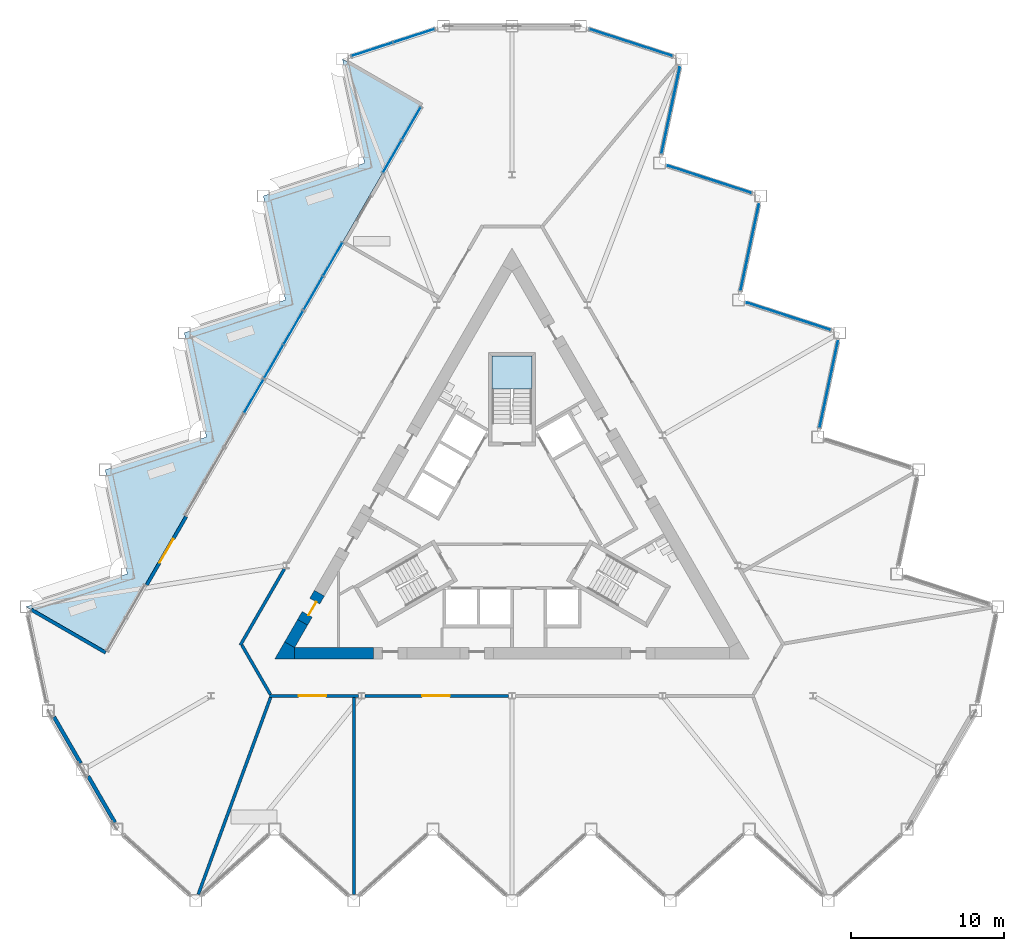
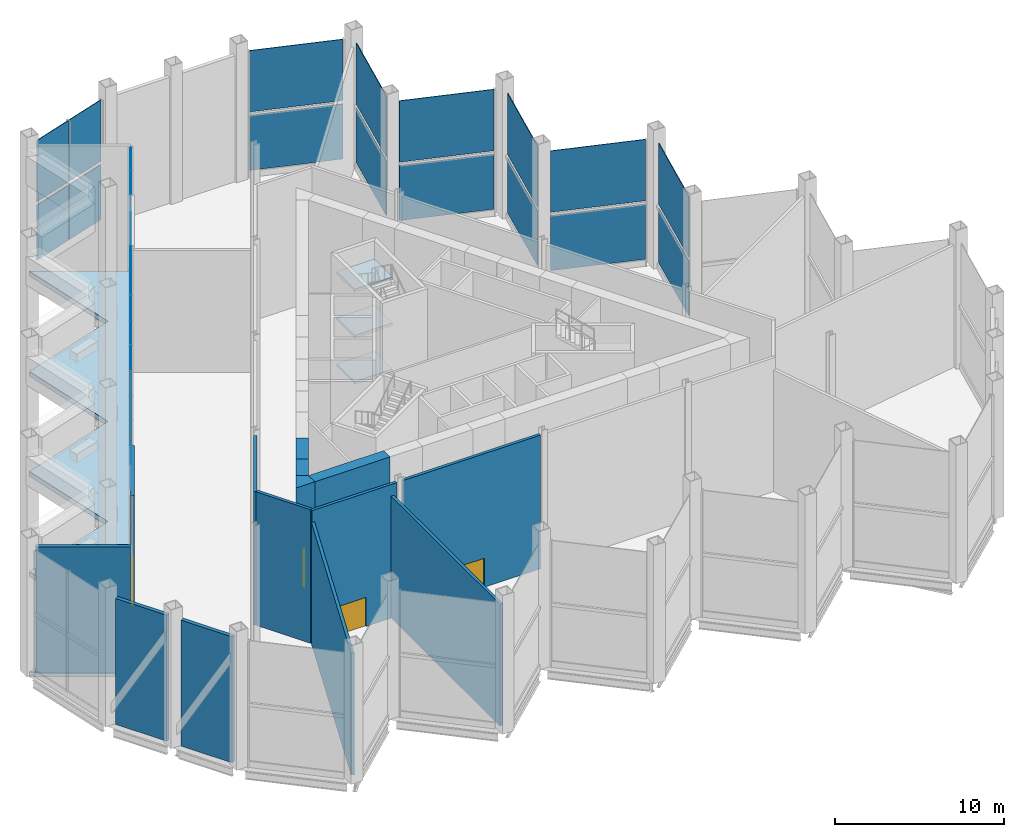
# One storey, part 8 of 18: 30 plates, 14 walls, 4 doors, 4 slabs, 4 openings, 7 elements without a shape of their own.
"""IFC4 building model written with IfcOpenShell, lengths in metres."""

from ifc_helpers import new_model, si_unit, direction, frame, frame_2d, origin, origin_2d, place, context, subcontext, project, spatial, polyline, rectangle, outline, extrude, material, layer, layer_set, type_object, element, fill, aggregate, save


model = new_model("IFC4")

# Units and contexts
model_context = context("Model", 3, precision=1e-05, world=origin(), true_north=direction((0.0, 1.0)))
body_context = subcontext(model_context, "Body", "Model", "MODEL_VIEW")
ifc_project = project(units=[si_unit("LENGTHUNIT", "METRE"), si_unit("AREAUNIT", "SQUARE_METRE"), si_unit("VOLUMEUNIT", "CUBIC_METRE"), si_unit("PLANEANGLEUNIT", "RADIAN"), si_unit("MASSUNIT", "GRAM", prefix="KILO")], contexts=[model_context])

# Site, building, storey
site_placement = place(None, origin())
site = spatial("IfcSite", under=ifc_project, at=site_placement, CompositionType="ELEMENT")
building_placement = place(site_placement, origin())
building = spatial("IfcBuilding", under=site, at=building_placement, Name="Cormorant Prow Tower", CompositionType="ELEMENT")
storey_placement = place(building_placement, frame((0.0, 0.0, 216.0)))
storey = spatial("IfcBuildingStorey", under=building, at=storey_placement, Name="L48", CompositionType="ELEMENT", Elevation=216.0)

# Curtain wall, plates
ifc_material_1 = material(Name="Aluminium 6063-T6", Category="aluminium")
ifc_layer_1 = layer(ifc_material_1, 0.300048828125)
ifc_layer_set_1 = layer_set([ifc_layer_1], Name="Aluminium 6063-T6")
curtain_wall_type = type_object("IfcCurtainWallType", Name="Sky lobby unitised curtain wall 300", PredefinedType="NOTDEFINED", material=ifc_layer_set_1)
curtain_wall_1_placement = place(storey_placement, origin())
curtain_wall_1 = element("IfcCurtainWall", 1, at=curtain_wall_1_placement, inside=storey, type_object=curtain_wall_type, Name="Sky lobby curtain wall ENE00-ENE09", PredefinedType="NOTDEFINED")
ifc_material_2 = material(Name="Clear glass", Category="glass")
ifc_layer_2 = layer(ifc_material_2, 0.0439453125)
ifc_layer_set_2 = layer_set([ifc_layer_2], Name="Clear glass")
plate_type = type_object("IfcPlateType", Name="Sky lobby glass panel 44", PredefinedType="CURTAIN_PANEL", material=ifc_layer_set_2)
plate_1_placement = place(storey_placement, frame((20.6953125, 9.0009765625, 0.449951171875), z_axis=(0.0, 0.0, 1.0), x_axis=(0.207911745465, 0.978147589118, 0.0)))
plate_1 = element("IfcPlate", 2, at=plate_1_placement, type_object=plate_type, Name="Sky lobby glass panel ENE00-ENE09", PredefinedType="CURTAIN_PANEL", context=body_context, shape_type="SweptSolid", body=[
    extrude(rectangle(XDim=5.73388671875, YDim=0.0439453125, at=origin_2d()), origin(), (0.0, 0.0, 1.0), 3.98046875),
])
plate_2_placement = place(storey_placement, frame((20.6953125, 9.0009765625, 4.67041015625), z_axis=(0.0, 0.0, 1.0), x_axis=(0.207911745465, 0.978147589118, 0.0)))
plate_2 = element("IfcPlate", 3, at=plate_2_placement, type_object=plate_type, Name="Sky lobby glass panel ENE00-ENE09", PredefinedType="CURTAIN_PANEL", context=body_context, shape_type="SweptSolid", body=[
    extrude(rectangle(XDim=5.73388671875, YDim=0.0439453125, at=origin_2d()), origin(), (0.0, 0.0, 1.0), 4.430419921875),
])
plate_3_placement = place(storey_placement, frame((18.066650390625, 13.447021484375, 0.449951171875), z_axis=(0.0, 0.0, 1.0), x_axis=(-0.951056502294, 0.309017037466, 0.0)))
plate_3 = element("IfcPlate", 4, at=plate_3_placement, type_object=plate_type, Name="Sky lobby glass panel ENE00-ENE09", PredefinedType="CURTAIN_PANEL", context=body_context, shape_type="SweptSolid", body=[
    extrude(rectangle(XDim=5.73388671875, YDim=0.0439453125, at=origin_2d()), origin(), (0.0, 0.0, 1.0), 3.98046875),
])
plate_4_placement = place(storey_placement, frame((18.066650390625, 13.447021484375, 4.67041015625), z_axis=(0.0, 0.0, 1.0), x_axis=(-0.951056502294, 0.309017037466, 0.0)))
plate_4 = element("IfcPlate", 5, at=plate_4_placement, type_object=plate_type, Name="Sky lobby glass panel ENE00-ENE09", PredefinedType="CURTAIN_PANEL", context=body_context, shape_type="SweptSolid", body=[
    extrude(rectangle(XDim=5.73388671875, YDim=0.0439453125, at=origin_2d()), origin(), (0.0, 0.0, 1.0), 4.430419921875),
])
plate_5_placement = place(storey_placement, frame((15.53076171875, 17.946533203125, 0.449951171875), z_axis=(0.0, 0.0, 1.0), x_axis=(0.207911745465, 0.978147589118, 0.0)))
plate_5 = element("IfcPlate", 6, at=plate_5_placement, type_object=plate_type, Name="Sky lobby glass panel ENE00-ENE09", PredefinedType="CURTAIN_PANEL", context=body_context, shape_type="SweptSolid", body=[
    extrude(rectangle(XDim=5.73388671875, YDim=0.0439453125, at=origin_2d()), origin(), (0.0, 0.0, 1.0), 3.98046875),
])
plate_6_placement = place(storey_placement, frame((15.53076171875, 17.946533203125, 4.67041015625), z_axis=(0.0, 0.0, 1.0), x_axis=(0.207911745465, 0.978147589118, 0.0)))
plate_6 = element("IfcPlate", 7, at=plate_6_placement, type_object=plate_type, Name="Sky lobby glass panel ENE00-ENE09", PredefinedType="CURTAIN_PANEL", context=body_context, shape_type="SweptSolid", body=[
    extrude(rectangle(XDim=5.73388671875, YDim=0.0439453125, at=origin_2d()), origin(), (0.0, 0.0, 1.0), 4.430419921875),
])
plate_7_placement = place(storey_placement, frame((12.90185546875, 22.392578125, 0.449951171875), z_axis=(0.0, 0.0, 1.0), x_axis=(-0.951056544583, 0.309016907313, 0.0)))
plate_7 = element("IfcPlate", 8, at=plate_7_placement, type_object=plate_type, Name="Sky lobby glass panel ENE00-ENE09", PredefinedType="CURTAIN_PANEL", context=body_context, shape_type="SweptSolid", body=[
    extrude(rectangle(XDim=5.73388671875, YDim=0.0439453125, at=origin_2d()), origin(), (0.0, 0.0, 1.0), 3.98046875),
])
plate_8_placement = place(storey_placement, frame((12.90185546875, 22.392578125, 4.67041015625), z_axis=(0.0, 0.0, 1.0), x_axis=(-0.951056544583, 0.309016907313, 0.0)))
plate_8 = element("IfcPlate", 9, at=plate_8_placement, type_object=plate_type, Name="Sky lobby glass panel ENE00-ENE09", PredefinedType="CURTAIN_PANEL", context=body_context, shape_type="SweptSolid", body=[
    extrude(rectangle(XDim=5.73388671875, YDim=0.0439453125, at=origin_2d()), origin(), (0.0, 0.0, 1.0), 4.430419921875),
])
plate_9_placement = place(storey_placement, frame((10.365966796875, 26.89208984375, 0.449951171875), z_axis=(0.0, 0.0, 1.0), x_axis=(0.207911607797, 0.97814761838, 0.0)))
plate_9 = element("IfcPlate", 10, at=plate_9_placement, type_object=plate_type, Name="Sky lobby glass panel ENE00-ENE09", PredefinedType="CURTAIN_PANEL", context=body_context, shape_type="SweptSolid", body=[
    extrude(rectangle(XDim=5.73388671875, YDim=0.0439453125, at=origin_2d()), origin(), (0.0, 0.0, 1.0), 3.98046875),
])
plate_10_placement = place(storey_placement, frame((10.365966796875, 26.89208984375, 4.67041015625), z_axis=(0.0, 0.0, 1.0), x_axis=(0.207911607797, 0.97814761838, 0.0)))
plate_10 = element("IfcPlate", 11, at=plate_10_placement, type_object=plate_type, Name="Sky lobby glass panel ENE00-ENE09", PredefinedType="CURTAIN_PANEL", context=body_context, shape_type="SweptSolid", body=[
    extrude(rectangle(XDim=5.73388671875, YDim=0.0439453125, at=origin_2d()), origin(), (0.0, 0.0, 1.0), 4.430419921875),
])
plate_11_placement = place(storey_placement, frame((7.775146484375, 31.32568359375, 0.449951171875), z_axis=(0.0, 0.0, 1.0), x_axis=(-0.951056502294, 0.309017037466, 0.0)))
plate_11 = element("IfcPlate", 12, at=plate_11_placement, type_object=plate_type, Name="Sky lobby glass panel ENE00-ENE09", PredefinedType="CURTAIN_PANEL", context=body_context, shape_type="SweptSolid", body=[
    extrude(rectangle(XDim=5.65380859375, YDim=0.0439453125, at=origin_2d()), origin(), (0.0, 0.0, 1.0), 3.98046875),
])
plate_12_placement = place(storey_placement, frame((7.775146484375, 31.32568359375, 4.67041015625), z_axis=(0.0, 0.0, 1.0), x_axis=(-0.951056502294, 0.309017037466, 0.0)))
plate_12 = element("IfcPlate", 13, at=plate_12_placement, type_object=plate_type, Name="Sky lobby glass panel ENE00-ENE09", PredefinedType="CURTAIN_PANEL", context=body_context, shape_type="SweptSolid", body=[
    extrude(rectangle(XDim=5.65380859375, YDim=0.0439453125, at=origin_2d()), origin(), (0.0, 0.0, 1.0), 4.430419921875),
])
aggregate(curtain_wall_1, [plate_1, plate_2, plate_3, plate_4, plate_5, plate_6, plate_7, plate_8, plate_9, plate_10, plate_11, plate_12])

curtain_wall_2_placement = place(storey_placement, origin())
curtain_wall_2 = element("IfcCurtainWall", 14, at=curtain_wall_2_placement, inside=storey, type_object=curtain_wall_type, Name="Sky lobby curtain wall WNW00", PredefinedType="NOTDEFINED")
plate_13_placement = place(storey_placement, frame((-6.411865234375, 31.7685546875, 0.449951171875), z_axis=(0.0, 0.0, 1.0), x_axis=(-0.951056502294, -0.309017037466, 0.0)))
plate_13 = element("IfcPlate", 15, at=plate_13_placement, type_object=plate_type, Name="Sky lobby glass panel WNW00", PredefinedType="CURTAIN_PANEL", context=body_context, shape_type="SweptSolid", body=[
    extrude(rectangle(XDim=2.786865234375, YDim=0.0439453125, at=origin_2d()), origin(), (0.0, 0.0, 1.0), 3.98046875),
])
plate_14_placement = place(storey_placement, frame((-9.138671875, 30.8828125, 0.449951171875), z_axis=(0.0, 0.0, 1.0), x_axis=(-0.951056502294, -0.309017037466, 0.0)))
plate_14 = element("IfcPlate", 16, at=plate_14_placement, type_object=plate_type, Name="Sky lobby glass panel WNW00", PredefinedType="CURTAIN_PANEL", context=body_context, shape_type="SweptSolid", body=[
    extrude(rectangle(XDim=2.786865234375, YDim=0.0439453125, at=origin_2d()), origin(), (0.0, 0.0, 1.0), 3.98046875),
])
plate_15_placement = place(storey_placement, frame((-6.411865234375, 31.7685546875, 4.67041015625), z_axis=(0.0, 0.0, 1.0), x_axis=(-0.951056502294, -0.309017037466, 0.0)))
plate_15 = element("IfcPlate", 17, at=plate_15_placement, type_object=plate_type, Name="Sky lobby glass panel WNW00", PredefinedType="CURTAIN_PANEL", context=body_context, shape_type="SweptSolid", body=[
    extrude(rectangle(XDim=2.786865234375, YDim=0.0439453125, at=origin_2d()), origin(), (0.0, 0.0, 1.0), 4.430419921875),
])
plate_16_placement = place(storey_placement, frame((-9.138671875, 30.8828125, 4.67041015625), z_axis=(0.0, 0.0, 1.0), x_axis=(-0.951056502294, -0.309017037466, 0.0)))
plate_16 = element("IfcPlate", 18, at=plate_16_placement, type_object=plate_type, Name="Sky lobby glass panel WNW00", PredefinedType="CURTAIN_PANEL", context=body_context, shape_type="SweptSolid", body=[
    extrude(rectangle(XDim=2.786865234375, YDim=0.0439453125, at=origin_2d()), origin(), (0.0, 0.0, 1.0), 4.430419921875),
])
aggregate(curtain_wall_2, [plate_13, plate_14, plate_15, plate_16])

curtain_wall_3_placement = place(storey_placement, origin())
curtain_wall_3 = element("IfcCurtainWall", 19, at=curtain_wall_3_placement, inside=storey, type_object=curtain_wall_type, Name="Sky lobby curtain wall loggia WNW01", PredefinedType="NOTDEFINED")
plate_17_placement = place(storey_placement, frame((-6.580810546875, 26.044921875, 0.449951171875), z_axis=(0.0, 0.0, 1.0), x_axis=(-0.500000003174, -0.866025401952, 0.0)))
plate_17 = element("IfcPlate", 20, at=plate_17_placement, type_object=plate_type, Name="Sky lobby glass panel loggia WNW01", PredefinedType="CURTAIN_PANEL", context=body_context, shape_type="SweptSolid", body=[
    extrude(rectangle(XDim=2.407470703125, YDim=0.0439453125, at=origin_2d()), origin(), (0.0, 0.0, 1.0), 3.98046875),
])
plate_18_placement = place(storey_placement, frame((-7.824462890625, 23.890869140625, 0.449951171875), z_axis=(0.0, 0.0, 1.0), x_axis=(-0.500000003174, -0.866025401952, 0.0)))
plate_18 = element("IfcPlate", 21, at=plate_18_placement, type_object=plate_type, Name="Sky lobby glass panel loggia WNW01", PredefinedType="CURTAIN_PANEL", context=body_context, shape_type="SweptSolid", body=[
    extrude(rectangle(XDim=2.407470703125, YDim=0.0439453125, at=origin_2d()), origin(), (0.0, 0.0, 1.0), 3.98046875),
])
plate_19_placement = place(storey_placement, frame((-6.580810546875, 26.044921875, 4.67041015625), z_axis=(0.0, 0.0, 1.0), x_axis=(-0.500000003174, -0.866025401952, 0.0)))
plate_19 = element("IfcPlate", 22, at=plate_19_placement, type_object=plate_type, Name="Sky lobby glass panel loggia WNW01", PredefinedType="CURTAIN_PANEL", context=body_context, shape_type="SweptSolid", body=[
    extrude(rectangle(XDim=2.407470703125, YDim=0.0439453125, at=origin_2d()), origin(), (0.0, 0.0, 1.0), 4.430419921875),
])
plate_20_placement = place(storey_placement, frame((-7.824462890625, 23.890869140625, 4.67041015625), z_axis=(0.0, 0.0, 1.0), x_axis=(-0.500000003174, -0.866025401952, 0.0)))
plate_20 = element("IfcPlate", 23, at=plate_20_placement, type_object=plate_type, Name="Sky lobby glass panel loggia WNW01", PredefinedType="CURTAIN_PANEL", context=body_context, shape_type="SweptSolid", body=[
    extrude(rectangle(XDim=2.407470703125, YDim=0.0439453125, at=origin_2d()), origin(), (0.0, 0.0, 1.0), 4.430419921875),
])
aggregate(curtain_wall_3, [plate_17, plate_18, plate_19, plate_20])

curtain_wall_4_placement = place(storey_placement, origin())
curtain_wall_4 = element("IfcCurtainWall", 24, at=curtain_wall_4_placement, inside=storey, type_object=curtain_wall_type, Name="Sky lobby curtain wall loggia WNW03", PredefinedType="NOTDEFINED")
plate_21_placement = place(storey_placement, frame((-11.704345703125, 17.1708984375, 0.449951171875), z_axis=(0.0, 0.0, 1.0), x_axis=(-0.500000003174, -0.866025401952, 0.0)))
plate_21 = element("IfcPlate", 25, at=plate_21_placement, type_object=plate_type, Name="Sky lobby glass panel loggia WNW03", PredefinedType="CURTAIN_PANEL", context=body_context, shape_type="SweptSolid", body=[
    extrude(rectangle(XDim=2.46240234375, YDim=0.0439453125, at=origin_2d()), origin(), (0.0, 0.0, 1.0), 3.98046875),
])
plate_22_placement = place(storey_placement, frame((-12.975341796875, 14.968994140625, 0.449951171875), z_axis=(0.0, 0.0, 1.0), x_axis=(-0.500000003174, -0.866025401952, 0.0)))
plate_22 = element("IfcPlate", 26, at=plate_22_placement, type_object=plate_type, Name="Sky lobby glass panel loggia WNW03", PredefinedType="CURTAIN_PANEL", context=body_context, shape_type="SweptSolid", body=[
    extrude(rectangle(XDim=2.46240234375, YDim=0.0439453125, at=origin_2d()), origin(), (0.0, 0.0, 1.0), 3.98046875),
])
plate_23_placement = place(storey_placement, frame((-11.704345703125, 17.1708984375, 4.67041015625), z_axis=(0.0, 0.0, 1.0), x_axis=(-0.500000003174, -0.866025401952, 0.0)))
plate_23 = element("IfcPlate", 27, at=plate_23_placement, type_object=plate_type, Name="Sky lobby glass panel loggia WNW03", PredefinedType="CURTAIN_PANEL", context=body_context, shape_type="SweptSolid", body=[
    extrude(rectangle(XDim=2.46240234375, YDim=0.0439453125, at=origin_2d()), origin(), (0.0, 0.0, 1.0), 4.430419921875),
])
plate_24_placement = place(storey_placement, frame((-12.975341796875, 14.968994140625, 4.67041015625), z_axis=(0.0, 0.0, 1.0), x_axis=(-0.500000003174, -0.866025401952, 0.0)))
plate_24 = element("IfcPlate", 28, at=plate_24_placement, type_object=plate_type, Name="Sky lobby glass panel loggia WNW03", PredefinedType="CURTAIN_PANEL", context=body_context, shape_type="SweptSolid", body=[
    extrude(rectangle(XDim=2.46240234375, YDim=0.0439453125, at=origin_2d()), origin(), (0.0, 0.0, 1.0), 4.430419921875),
])
aggregate(curtain_wall_4, [plate_21, plate_22, plate_23, plate_24])

curtain_wall_5_placement = place(storey_placement, origin())
curtain_wall_5 = element("IfcCurtainWall", 29, at=curtain_wall_5_placement, inside=storey, type_object=curtain_wall_type, Name="Sky lobby curtain wall loggia WNW04", PredefinedType="NOTDEFINED")
plate_25_placement = place(storey_placement, frame((-14.28662109375, 12.697998046875, 0.449951171875), z_axis=(0.0, 0.0, 1.0), x_axis=(-0.500000003174, -0.866025401952, 0.0)))
plate_25 = element("IfcPlate", 30, at=plate_25_placement, type_object=plate_type, Name="Sky lobby glass panel loggia WNW04", PredefinedType="CURTAIN_PANEL", context=body_context, shape_type="SweptSolid", body=[
    extrude(rectangle(XDim=2.46240234375, YDim=0.0439453125, at=origin_2d()), origin(), (0.0, 0.0, 1.0), 3.98046875),
])
plate_26_placement = place(storey_placement, frame((-15.557861328125, 10.496337890625, 0.449951171875), z_axis=(0.0, 0.0, 1.0), x_axis=(-0.500000003174, -0.866025401952, 0.0)))
plate_26 = element("IfcPlate", 31, at=plate_26_placement, type_object=plate_type, Name="Sky lobby glass panel loggia WNW04", PredefinedType="CURTAIN_PANEL", context=body_context, shape_type="SweptSolid", body=[
    extrude(rectangle(XDim=2.46240234375, YDim=0.0439453125, at=origin_2d()), origin(), (0.0, 0.0, 1.0), 3.98046875),
])
plate_27_placement = place(storey_placement, frame((-14.28662109375, 12.697998046875, 4.67041015625), z_axis=(0.0, 0.0, 1.0), x_axis=(-0.500000003174, -0.866025401952, 0.0)))
plate_27 = element("IfcPlate", 32, at=plate_27_placement, type_object=plate_type, Name="Sky lobby glass panel loggia WNW04", PredefinedType="CURTAIN_PANEL", context=body_context, shape_type="SweptSolid", body=[
    extrude(rectangle(XDim=2.46240234375, YDim=0.0439453125, at=origin_2d()), origin(), (0.0, 0.0, 1.0), 4.430419921875),
])
plate_28_placement = place(storey_placement, frame((-15.557861328125, 10.496337890625, 4.67041015625), z_axis=(0.0, 0.0, 1.0), x_axis=(-0.500000003174, -0.866025401952, 0.0)))
plate_28 = element("IfcPlate", 33, at=plate_28_placement, type_object=plate_type, Name="Sky lobby glass panel loggia WNW04", PredefinedType="CURTAIN_PANEL", context=body_context, shape_type="SweptSolid", body=[
    extrude(rectangle(XDim=2.46240234375, YDim=0.0439453125, at=origin_2d()), origin(), (0.0, 0.0, 1.0), 4.430419921875),
])
aggregate(curtain_wall_5, [plate_25, plate_26, plate_27, plate_28])

curtain_wall_6_placement = place(storey_placement, origin())
curtain_wall_6 = element("IfcCurtainWall", 34, at=curtain_wall_6_placement, inside=storey, type_object=curtain_wall_type, Name="Sky lobby curtain wall loggia WNW05", PredefinedType="NOTDEFINED")
plate_29_placement = place(storey_placement, frame((-16.868896484375, 8.225341796875, 0.449951171875), z_axis=(0.0, 0.0, 1.0), x_axis=(-0.500000003174, -0.866025401952, 0.0)))
plate_29 = element("IfcPlate", 35, at=plate_29_placement, type_object=plate_type, Name="Sky lobby glass panel loggia WNW05", PredefinedType="CURTAIN_PANEL", context=body_context, shape_type="SweptSolid", body=[
    extrude(rectangle(XDim=2.46240234375, YDim=0.0439453125, at=origin_2d()), origin(), (0.0, 0.0, 1.0), 3.98046875),
])
plate_30_placement = place(storey_placement, frame((-16.868896484375, 8.225341796875, 4.67041015625), z_axis=(0.0, 0.0, 1.0), x_axis=(-0.500000003174, -0.866025401952, 0.0)))
plate_30 = element("IfcPlate", 36, at=plate_30_placement, type_object=plate_type, Name="Sky lobby glass panel loggia WNW05", PredefinedType="CURTAIN_PANEL", context=body_context, shape_type="SweptSolid", body=[
    extrude(rectangle(XDim=2.46240234375, YDim=0.0439453125, at=origin_2d()), origin(), (0.0, 0.0, 1.0), 4.430419921875),
])
aggregate(curtain_wall_6, [plate_29, plate_30])

# Stair, slabs
ifc_material_3 = material(Name="Exit stair 54 risers")
stair_type = type_object("IfcStairType", Name="Exit stair 54 risers", PredefinedType="HALF_TURN_STAIR", material=ifc_material_3)
stair_placement = place(storey_placement, origin())
stair = element("IfcStair", 37, at=stair_placement, inside=storey, type_object=stair_type, Name="L48 Exit stair ST3", PredefinedType="HALF_TURN_STAIR")
ifc_material_4 = material(Name="Concrete 5000 psi", Category="concrete")
ifc_layer_3 = layer(ifc_material_4, 0.199951171875)
ifc_layer_set_3 = layer_set([ifc_layer_3], Name="Concrete 5000 psi")
slab_type_1 = type_object("IfcSlabType", Name="Stair landing 200", PredefinedType="LANDING", material=ifc_layer_set_3)
slab_1_placement = place(storey_placement, frame((0.0, 0.0, 1.466552734375)))
slab_1 = element("IfcSlab", 38, at=slab_1_placement, type_object=slab_type_1, Name="ST3 landing 1", PredefinedType="LANDING", context=body_context, shape_type="SweptSolid", body=[
    extrude(outline(polyline([(1.2939453125, 8.69189453125), (1.2939453125, 10.8369140625), (-1.2939453125, 10.8369140625), (-1.2939453125, 8.69189453125), (1.2939453125, 8.69189453125)])), origin(), (0.0, 0.0, 1.0), 0.2001953125),
])
slab_2_placement = place(storey_placement, frame((0.0, 0.0, 4.800048828125)))
slab_2 = element("IfcSlab", 39, at=slab_2_placement, type_object=slab_type_1, Name="ST3 landing 3", PredefinedType="LANDING", context=body_context, shape_type="SweptSolid", body=[
    extrude(outline(polyline([(1.2939453125, 8.69189453125), (1.2939453125, 10.8369140625), (-1.2939453125, 10.8369140625), (-1.2939453125, 8.69189453125), (1.2939453125, 8.69189453125)])), origin(), (0.0, 0.0, 1.0), 0.199951171875),
])
slab_3_placement = place(storey_placement, frame((0.0, 0.0, 8.13330078125)))
slab_3 = element("IfcSlab", 40, at=slab_3_placement, type_object=slab_type_1, Name="ST3 landing 5", PredefinedType="LANDING", context=body_context, shape_type="SweptSolid", body=[
    extrude(outline(polyline([(1.2939453125, 8.69189453125), (1.2939453125, 10.8369140625), (-1.2939453125, 10.8369140625), (-1.2939453125, 8.69189453125), (1.2939453125, 8.69189453125)])), origin(), (0.0, 0.0, 1.0), 0.199951171875),
])
aggregate(stair, [slab_1, slab_2, slab_3])

# Slab
ifc_material_5 = material(Name="Concrete C40/50", Category="concrete")
ifc_layer_4 = layer(ifc_material_5, 0.35009765625)
ifc_layer_set_4 = layer_set([ifc_layer_4], Name="Concrete C40/50")
slab_type_2 = type_object("IfcSlabType", Name="Terrace slab 350", PredefinedType="FLOOR", material=ifc_layer_set_4)
slab_4_placement = place(storey_placement, frame((0.0, 0.0, -0.35009765625)))
element("IfcSlab", 41, at=slab_4_placement, inside=storey, type_object=slab_type_2, Name="Loggia terrace slab L48", PredefinedType="FLOOR", context=body_context, shape_type="SweptSolid", body=[
    extrude(outline(polyline([(-11.080078125, 30.251953125), (-9.63525390625, 23.453857421875), (-16.244873046875, 21.306396484375), (-14.7998046875, 14.50830078125), (-21.409423828125, 12.36083984375), (-19.964599609375, 5.562744140625), (-26.57421875, 3.415283203125), (-25.12939453125, -3.3828125), (-31.739013671875, -5.5302734375), (-26.542724609375, -8.5302734375), (-5.884033203125, 27.251953125), (-11.080078125, 30.251953125)])), origin(), (0.0, 0.0, 1.0), 0.35009765625),
])

# Walls
ifc_material_6 = material(Name="Concrete 8000 psi", Category="concrete")
ifc_layer_5 = layer(ifc_material_6, 0.75)
ifc_layer_set_5 = layer_set([ifc_layer_5], Name="Concrete 8000 psi")
wall_type_1 = type_object("IfcWallType", Name="Core shear wall 750", PredefinedType="SHEAR", material=ifc_layer_set_5)
wall_1_placement = place(storey_placement, frame((-14.200927734375, -8.573974609375, 0.0), z_axis=(0.0, 0.0, 1.0), x_axis=(1.0, 0.0, 0.0)))
element("IfcWall", 42, at=wall_1_placement, inside=storey, type_object=wall_type_1, Name="Core wall", PredefinedType="SHEAR", context=body_context, shape_type="SweptSolid", body=[
    extrude(rectangle(XDim=5.1455078125, YDim=0.75, at=frame_2d((2.57275390625, 0.0))), origin(), (0.0, 0.0, 1.0), 9.64990234375),
])
wall_2_placement = place(storey_placement, frame((-13.6806640625, -6.547607421875, 0.0), z_axis=(0.0, 0.0, 1.0), x_axis=(-0.499914175736, -0.866074948776, 0.0)))
element("IfcWall", 43, at=wall_2_placement, inside=storey, type_object=wall_type_1, Name="Core wall", PredefinedType="SHEAR", context=body_context, shape_type="SweptSolid", body=[
    extrude(rectangle(XDim=1.690185546875, YDim=0.75, at=frame_2d((0.84521484375, 0.0))), origin(), (0.0, 0.0, 1.0), 9.64990234375),
])
wall_3_placement = place(storey_placement, origin())
element("IfcWall", 44, at=wall_3_placement, inside=storey, type_object=wall_type_1, Name="Core wall corner", PredefinedType="SHEAR", context=body_context, shape_type="SweptSolid", body=[
    extrude(outline(polyline([(-14.8505859375, -7.823974609375), (-14.200927734375, -8.198974609375), (-14.200927734375, -8.948974609375), (-15.5, -8.948974609375), (-14.8505859375, -7.823974609375)])), origin(), (0.0, 0.0, 1.0), 9.64990234375),
])

# Wall, opening, door
wall_4_placement = place(storey_placement, frame((-12.58056640625, -4.642333984375, 0.0), z_axis=(0.0, 0.0, 1.0), x_axis=(-0.50002983664, -0.866008176907, 0.0)))
wall_4 = element("IfcWall", 45, at=wall_4_placement, inside=storey, type_object=wall_type_1, Name="Core wall door panel", PredefinedType="SHEAR", context=body_context, shape_type="SweptSolid", body=[
    extrude(rectangle(XDim=2.199951171875, YDim=0.75, at=frame_2d((1.10009765625, 0.0))), origin(), (0.0, 0.0, 1.0), 9.64990234375),
])
opening_1_placement = place(wall_4_placement, frame((0.60009765625, 0.0, 0.0)))
opening_1 = element("IfcOpeningElement", 46, at=opening_1_placement, cuts=wall_4, Name="Opening L48-C14", PredefinedType="OPENING", context=body_context, shape_type="SweptSolid", body=[
    extrude(rectangle(XDim=1.0, YDim=2.10009765625, at=frame_2d((0.5, 1.050048828125))), frame((0.0, 0.385009765625, 0.0), z_axis=(0.0, -1.0, 0.0), x_axis=(1.0, 0.0, 0.0)), (0.0, 0.0, 1.0), 0.77001953125),
])
ifc_material_7 = material(Name="Painted steel", Category="steel")
door_type_1 = type_object("IfcDoorType", Name="Service door 1000x2100", OperationType="NOTDEFINED", PredefinedType="DOOR", material=ifc_material_7)
door_1_placement = place(opening_1_placement, origin())
door_1 = element("IfcDoor", 47, at=door_1_placement, inside=storey, type_object=door_type_1, Name="Core door, Pantry store", OperationType="SINGLE_SWING_LEFT", OverallHeight=2.10009765625, OverallWidth=1.0, PredefinedType="DOOR", context=body_context, shape_type="SweptSolid", body=[
    extrude(rectangle(XDim=1.0, YDim=2.10009765625, at=frame_2d((0.5, 1.050048828125))), frame((0.0, 0.1298828125, 0.0), z_axis=(0.0, -1.0, 0.0), x_axis=(1.0, 0.0, 0.0)), (0.0, 0.0, 1.0), 0.050048828125),
])
fill(opening_1, door_1)

ifc_material_8 = material(Name="Gypsum board corridor wall")
ifc_layer_6 = layer(ifc_material_8, 0.199951171875)
ifc_layer_set_6 = layer_set([ifc_layer_6], Name="Gypsum board corridor wall")
wall_type_2 = type_object("IfcWallType", Name="Corridor wall 200", PredefinedType="PARTITIONING", material=ifc_layer_set_6)
wall_5_placement = place(storey_placement, frame((-9.61474609375, -11.348876953125, 0.0), z_axis=(0.0, 0.0, 1.0), x_axis=(1.0, 0.0, 0.0)))
wall_5 = element("IfcWall", 48, at=wall_5_placement, inside=storey, type_object=wall_type_2, Name="Corridor wall", PredefinedType="PARTITIONING", context=body_context, shape_type="SweptSolid", body=[
    extrude(rectangle(XDim=9.401123046875, YDim=0.199951171875, at=frame_2d((4.70068359375, 0.0))), origin(), (0.0, 0.0, 1.0), 9.64990234375),
])
opening_2_placement = place(wall_5_placement, frame((3.75048828125, 0.0, 0.0)))
opening_2 = element("IfcOpeningElement", 49, at=opening_2_placement, cuts=wall_5, Name="Opening L48-F02", PredefinedType="OPENING", context=body_context, shape_type="SweptSolid", body=[
    extrude(rectangle(XDim=1.800048828125, YDim=2.10009765625, at=frame_2d((0.89990234375, 1.050048828125))), frame((0.0, 0.10986328125, 0.0), z_axis=(0.0, -1.0, 0.0), x_axis=(1.0, 0.0, 0.0)), (0.0, 0.0, 1.0), 0.219970703125),
])
ifc_material_9 = material(Name="Timber door leaf", Category="wood")
door_type_2 = type_object("IfcDoorType", Name="Double door 1800x2100", OperationType="DOUBLE_DOOR_SINGLE_SWING", PredefinedType="DOOR", material=ifc_material_9)
door_2_placement = place(opening_2_placement, origin())
door_2 = element("IfcDoor", 50, at=door_2_placement, inside=storey, type_object=door_type_2, Name="Business centre door", OperationType="DOUBLE_DOOR_SINGLE_SWING", OverallHeight=2.10009765625, OverallWidth=1.800048828125, PredefinedType="DOOR", context=body_context, shape_type="SweptSolid", body=[
    extrude(rectangle(XDim=1.800048828125, YDim=2.10009765625, at=frame_2d((0.89990234375, 1.050048828125))), frame((0.0, 0.02490234375, 0.0), z_axis=(0.0, -1.0, 0.0), x_axis=(1.0, 0.0, 0.0)), (0.0, 0.0, 1.0), 0.050048828125),
])
fill(opening_2, door_2)

wall_6_placement = place(storey_placement, frame((-15.830810546875, -11.348876953125, 0.0), z_axis=(0.0, 0.0, 1.0), x_axis=(1.0, 0.0, 0.0)))
wall_6 = element("IfcWall", 51, at=wall_6_placement, inside=storey, type_object=wall_type_2, Name="Corridor wall", PredefinedType="PARTITIONING", context=body_context, shape_type="SweptSolid", body=[
    extrude(rectangle(XDim=5.78857421875, YDim=0.199951171875, at=frame_2d((2.894287109375, 0.0))), origin(), (0.0, 0.0, 1.0), 9.64990234375),
])
opening_3_placement = place(wall_6_placement, frame((1.891845703125, 0.0, 0.0)))
opening_3 = element("IfcOpeningElement", 52, at=opening_3_placement, cuts=wall_6, Name="Opening L48-F01", PredefinedType="OPENING", context=body_context, shape_type="SweptSolid", body=[
    extrude(rectangle(XDim=1.800048828125, YDim=2.10009765625, at=frame_2d((0.89990234375, 1.050048828125))), frame((0.0, 0.10986328125, 0.0), z_axis=(0.0, -1.0, 0.0), x_axis=(1.0, 0.0, 0.0)), (0.0, 0.0, 1.0), 0.219970703125),
])
door_3_placement = place(opening_3_placement, origin())
door_3 = element("IfcDoor", 53, at=door_3_placement, inside=storey, type_object=door_type_2, Name="Sky lobby door", OperationType="DOUBLE_DOOR_SINGLE_SWING", OverallHeight=2.10009765625, OverallWidth=1.800048828125, PredefinedType="DOOR", context=body_context, shape_type="SweptSolid", body=[
    extrude(rectangle(XDim=1.800048828125, YDim=2.10009765625, at=frame_2d((0.89990234375, 1.050048828125))), frame((0.0, 0.02490234375, 0.0), z_axis=(0.0, -1.0, 0.0), x_axis=(1.0, 0.0, 0.0)), (0.0, 0.0, 1.0), 0.050048828125),
])
fill(opening_3, door_3)

# Walls
wall_7_placement = place(storey_placement, frame((-17.743896484375, -8.035400390625, 0.0), z_axis=(0.0, 0.0, 1.0), x_axis=(0.499975807604, 0.86603937082, 0.0)))
element("IfcWall", 54, at=wall_7_placement, inside=storey, type_object=wall_type_2, Name="Corridor wall", PredefinedType="PARTITIONING", context=body_context, shape_type="SweptSolid", body=[
    extrude(rectangle(XDim=5.755615234375, YDim=0.199951171875, at=frame_2d((2.8779296875, 0.0))), origin(), (0.0, 0.0, 1.0), 9.64990234375),
])
wall_8_placement = place(storey_placement, frame((-17.643798828125, -8.035400390625, 0.0), z_axis=(0.0, 0.0, 1.0), x_axis=(0.499958791762, -0.866049194065, 0.0)))
element("IfcWall", 55, at=wall_8_placement, inside=storey, type_object=wall_type_2, Name="Corridor wall", PredefinedType="PARTITIONING", context=body_context, shape_type="SweptSolid", body=[
    extrude(rectangle(XDim=3.725830078125, YDim=0.199951171875, at=frame_2d((1.86279296875, 0.0))), origin(), (0.0, 0.0, 1.0), 9.64990234375),
])
ifc_material_10 = material(Name="Gypsum board demising wall")
ifc_layer_7 = layer(ifc_material_10, 0.199951171875)
ifc_layer_set_7 = layer_set([ifc_layer_7], Name="Gypsum board demising wall")
wall_type_3 = type_object("IfcWallType", Name="Demising wall 200", PredefinedType="PARTITIONING", material=ifc_layer_set_7)
wall_9_placement = place(storey_placement, frame((-20.489990234375, -24.3115234375, 0.0), z_axis=(0.0, 0.0, 1.0), x_axis=(0.344647088239, 0.938732328498, 0.0)))
element("IfcWall", 56, at=wall_9_placement, inside=storey, type_object=wall_type_3, Name="Demising wall", PredefinedType="PARTITIONING", context=body_context, shape_type="SweptSolid", body=[
    extrude(rectangle(XDim=13.70849609375, YDim=0.199951171875, at=frame_2d((6.854248046875, 0.0))), origin(), (0.0, 0.0, 1.0), 8.80419921875),
])
wall_10_placement = place(storey_placement, frame((-10.329345703125, -24.3115234375, 0.0), z_axis=(0.0, 0.0, 1.0), x_axis=(0.0, 1.0, 0.0)))
element("IfcWall", 57, at=wall_10_placement, inside=storey, type_object=wall_type_3, Name="Demising wall", PredefinedType="PARTITIONING", context=body_context, shape_type="SweptSolid", body=[
    extrude(rectangle(XDim=12.862548828125, YDim=0.199951171875, at=frame_2d((6.43115234375, 0.0))), origin(), (0.0, 0.0, 1.0), 8.80419921875),
])
ifc_material_11 = material(Name="Terracotta", Category="masonry")
ifc_layer_8 = layer(ifc_material_11, 0.25)
ifc_layer_set_8 = layer_set([ifc_layer_8], Name="Terracotta")
wall_type_4 = type_object("IfcWallType", Name="Terracotta bay wall 250", PredefinedType="SOLIDWALL", material=ifc_layer_set_8)
wall_11_placement = place(storey_placement, frame((-29.918701171875, -12.728271484375, 0.0), z_axis=(0.0, 0.0, 1.0), x_axis=(0.499984940993, -0.866034097932, 0.0)))
element("IfcWall", 58, at=wall_11_placement, inside=storey, type_object=wall_type_4, Name="Terracotta bay wall WSW00", PredefinedType="SOLIDWALL", context=body_context, shape_type="SweptSolid", body=[
    extrude(rectangle(XDim=3.48876953125, YDim=0.25, at=frame_2d((1.744384765625, 0.0))), origin(), (0.0, 0.0, 1.0), 9.100830078125),
])
wall_12_placement = place(storey_placement, frame((-27.68359375, -16.599853515625, 0.0), z_axis=(0.0, 0.0, 1.0), x_axis=(0.500037421966, -0.866003797124, 0.0)))
element("IfcWall", 59, at=wall_12_placement, inside=storey, type_object=wall_type_4, Name="Terracotta bay wall WSW01", PredefinedType="SOLIDWALL", context=body_context, shape_type="SweptSolid", body=[
    extrude(rectangle(XDim=3.489013671875, YDim=0.25, at=frame_2d((1.74462890625, 0.0))), origin(), (0.0, 0.0, 1.0), 9.100830078125),
])

# Wall, opening, door
ifc_material_12 = material(Name="Terracotta", Category="masonry")
ifc_layer_9 = layer(ifc_material_12, 0.219970703125)
ifc_layer_set_9 = layer_set([ifc_layer_9], Name="Terracotta")
wall_type_5 = type_object("IfcWallType", Name="Terracotta loggia wall 220", PredefinedType="SOLIDWALL", material=ifc_layer_set_9)
wall_13_placement = place(storey_placement, frame((-21.28271484375, 0.3603515625, 0.0), z_axis=(0.0, 0.0, 1.0), x_axis=(-0.500012965332, -0.866017918117, 0.0)))
wall_13 = element("IfcWall", 60, at=wall_13_placement, inside=storey, type_object=wall_type_5, Name="Terracotta loggia wall WNW07", PredefinedType="SOLIDWALL", context=body_context, shape_type="SweptSolid", body=[
    extrude(rectangle(XDim=5.164794921875, YDim=0.219970703125, at=frame_2d((2.58251953125, 0.0))), origin(), (0.0, 0.0, 1.0), 9.100830078125),
])
opening_4_placement = place(wall_13_placement, frame((1.682373046875, 0.0, 0.0)))
opening_4 = element("IfcOpeningElement", 61, at=opening_4_placement, cuts=wall_13, Name="Opening ED48.02", PredefinedType="OPENING", context=body_context, shape_type="SweptSolid", body=[
    extrude(rectangle(XDim=1.800048828125, YDim=2.39990234375, at=frame_2d((0.89990234375, 1.199951171875))), frame((0.0, 0.119873046875, 0.0), z_axis=(0.0, -1.0, 0.0), x_axis=(1.0, 0.0, 0.0)), (0.0, 0.0, 1.0), 0.239990234375),
])
ifc_material_13 = material(Name="Aluminium 6063-T6", Category="aluminium")
door_type_3 = type_object("IfcDoorType", Name="Terrace door 1800x2400", OperationType="DOUBLE_DOOR_SINGLE_SWING", PredefinedType="DOOR", material=ifc_material_13)
door_4_placement = place(opening_4_placement, origin())
door_4 = element("IfcDoor", 62, at=door_4_placement, inside=storey, type_object=door_type_3, Name="Terrace door WNW07 ED48.02", OperationType="DOUBLE_DOOR_SINGLE_SWING", OverallHeight=2.39990234375, OverallWidth=1.800048828125, PredefinedType="DOOR", context=body_context, shape_type="SweptSolid", body=[
    extrude(rectangle(XDim=1.800048828125, YDim=2.39990234375, at=frame_2d((0.89990234375, 1.199951171875))), frame((0.0, 0.02490234375, 0.0), z_axis=(0.0, -1.0, 0.0), x_axis=(1.0, 0.0, 0.0)), (0.0, 0.0, 1.0), 0.050048828125),
])
fill(opening_4, door_4)

# Wall
wall_14_placement = place(storey_placement, frame((-31.409912109375, -5.72021484375, 0.0), z_axis=(0.0, 0.0, 1.0), x_axis=(0.866026437715, -0.499998209175, 0.0)))
element("IfcWall", 63, at=wall_14_placement, inside=storey, type_object=wall_type_5, Name="Terracotta loggia return WNW east", PredefinedType="SOLIDWALL", context=body_context, shape_type="SweptSolid", body=[
    extrude(rectangle(XDim=5.6201171875, YDim=0.219970703125, at=frame_2d((2.81005859375, 0.0))), origin(), (0.0, 0.0, 1.0), 9.100830078125),
])

save(model, "model.ifc")
